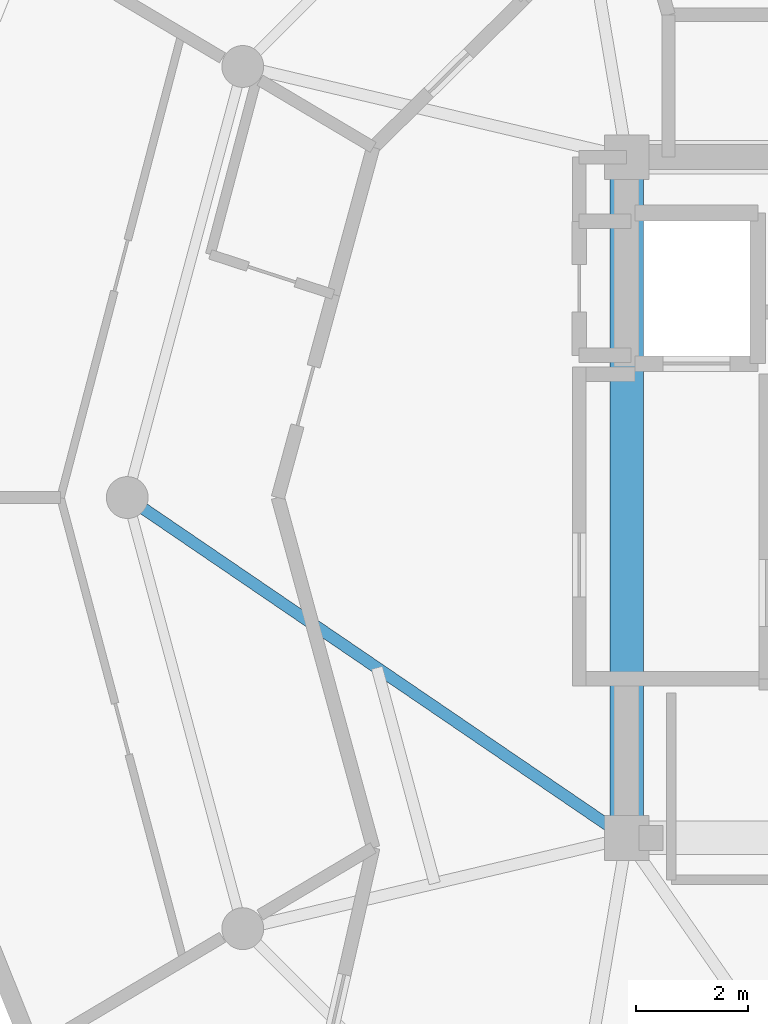
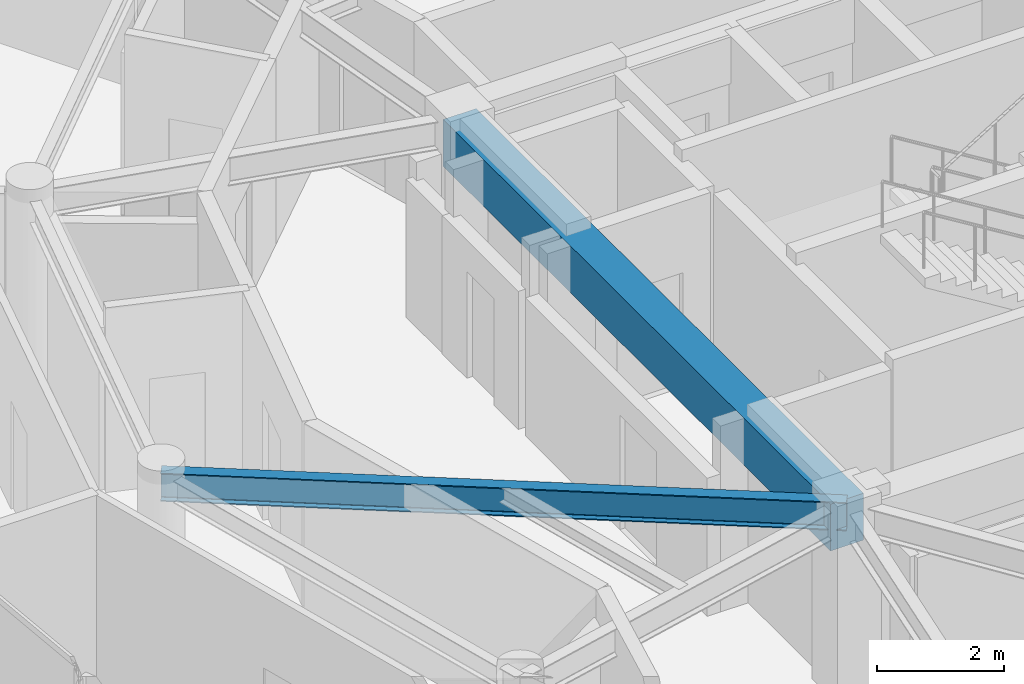
# One storey, part 9 of 22: 2 beams.
"""IFC4 building model written with IfcOpenShell, lengths in metres."""

import ifcopenshell
import ifcopenshell.guid

model = None  # the IFC model being written
_history = None  # IfcOwnerHistory: only IFC2X3 demands one
_inside = {}  # id of a spatial element -> (the spatial element, [elements in it])
_under = {}  # id of a project, library or spatial element -> (it, [spatial elements below it])
_declared = {}  # id of a project -> (the project, [libraries it declares])
_typed = {}  # id of a type object -> (the type object, [elements of that type])
_made_of = {}  # id of a material, layer set ... -> (it, [elements and type objects made of it])


def new_model(schema):
    """Start an empty IFC model of exactly this schema.

    Asked for "IFC4X3", IfcOpenShell would pick the latest addendum, in which some entities
    have other attributes; the version numbers below select the first issue.
    IFC2X3 requires an IfcOwnerHistory on every rooted entity: one is made here for all.
    """
    global model, _history
    if schema == "IFC4X3":
        model = ifcopenshell.file(schema_version=(4, 3, 0, 0))
    else:
        model = ifcopenshell.file(schema=schema)
    _inside.clear()
    _under.clear()
    _declared.clear()
    _typed.clear()
    _made_of.clear()
    _history = None
    if model.schema == "IFC2X3":
        org = make("IfcOrganization", Name="unknown")
        user = make(
            "IfcPersonAndOrganization",
            ThePerson=make("IfcPerson", FamilyName="unknown"),
            TheOrganization=org,
        )
        app = make(
            "IfcApplication",
            ApplicationDeveloper=org,
            Version="unknown",
            ApplicationFullName="unknown",
            ApplicationIdentifier="unknown",
        )
        _history = make(
            "IfcOwnerHistory",
            OwningUser=user,
            OwningApplication=app,
            ChangeAction="ADDED",
            CreationDate=0,
        )
    return model


def make(cls, **values):
    """One entity of the class cls with the attributes given. An attribute that is None is left unset."""
    return model.create_entity(
        cls, **{name: value for name, value in values.items() if value is not None}
    )


def rooted(cls, **values):
    """An entity with a GlobalId (a new one), such as an element, a storey or a relation."""
    return make(cls, GlobalId=ifcopenshell.guid.new(), OwnerHistory=_history, **values)


def si_unit(unit_type, name, prefix=None):
    """IfcSIUnit, for example si_unit("LENGTHUNIT", "METRE", prefix="MILLI")."""
    return make("IfcSIUnit", UnitType=unit_type, Prefix=prefix, Name=name)


def assignment(units):
    """IfcUnitAssignment: the units of a project."""
    return None if units is None else make("IfcUnitAssignment", Units=units)


def point(xyz):
    """IfcCartesianPoint."""
    return None if xyz is None else make("IfcCartesianPoint", Coordinates=xyz)


def direction(xyz):
    """IfcDirection."""
    return None if xyz is None else make("IfcDirection", DirectionRatios=xyz)


def frame(location, z_axis=None, x_axis=None):
    """IfcAxis2Placement3D, a coordinate frame: its origin and axes. An axis left out is left unset."""
    return make(
        "IfcAxis2Placement3D",
        Location=point(location),
        Axis=direction(z_axis),
        RefDirection=direction(x_axis),
    )


def frame_2d(location, x_axis=None):
    """IfcAxis2Placement2D, a coordinate frame in the plane: its origin and x axis."""
    return make(
        "IfcAxis2Placement2D", Location=point(location), RefDirection=direction(x_axis)
    )


def origin():
    """The frame at (0, 0, 0) with its axes left unset."""
    return frame((0.0, 0.0, 0.0))


def origin_2d():
    """The frame at (0, 0) in the plane with its x axis left unset."""
    return frame_2d((0.0, 0.0))


def place(relative_to, where):
    """IfcLocalPlacement: puts the frame where relative to a parent placement (None: the world)."""
    return make(
        "IfcLocalPlacement", PlacementRelTo=relative_to, RelativePlacement=where
    )


def context(
    kind, dimensions, precision=None, world=None, true_north=None, identifier=None
):
    """IfcGeometricRepresentationContext, for example the 3D "Model" context."""
    return make(
        "IfcGeometricRepresentationContext",
        ContextIdentifier=identifier,
        ContextType=kind,
        CoordinateSpaceDimension=dimensions,
        Precision=precision,
        WorldCoordinateSystem=world,
        TrueNorth=true_north,
    )


def subcontext(parent, identifier, kind, view, scale=None):
    """IfcGeometricRepresentationSubContext, for example "Body" below "Model"."""
    return make(
        "IfcGeometricRepresentationSubContext",
        ContextIdentifier=identifier,
        ContextType=kind,
        ParentContext=parent,
        TargetScale=scale,
        TargetView=view,
    )


def project(units=None, contexts=None):
    """IfcProject with its units and contexts."""
    return rooted(
        "IfcProject",
        Name="project",
        RepresentationContexts=contexts,
        UnitsInContext=assignment(units),
    )


def spatial(cls, under=None, at=None, **own):
    """A site, building, storey or space (cls), placed at a placement, below another one or the project."""
    s = rooted(cls, ObjectPlacement=at, **own)
    if under is not None:
        _under.setdefault(under.id(), (under, []))[1].append(s)
    return s


def profile(cls, at=None, kind="AREA", **sizes):
    """A parametric profile (cls). Its sizes go by their IFC names, for example OverallWidth=200.0."""
    return make(cls, ProfileType=kind, Position=at, **sizes)


def rectangle(**sizes):
    """IfcRectangleProfileDef."""
    return profile("IfcRectangleProfileDef", **sizes)


def i_section(**sizes):
    """IfcIShapeProfileDef."""
    return profile("IfcIShapeProfileDef", **sizes)


def extrude(swept, where, along, depth):
    """IfcExtrudedAreaSolid: the profile swept, set in the frame where, extruded along a direction by depth."""
    return make(
        "IfcExtrudedAreaSolid",
        SweptArea=swept,
        Position=where,
        ExtrudedDirection=direction(along),
        Depth=depth,
    )


def shape(context_of_items, identifier, shape_type, items):
    """IfcShapeRepresentation: the items that make up one representation, for example the "Body"."""
    return make(
        "IfcShapeRepresentation",
        ContextOfItems=context_of_items,
        RepresentationIdentifier=identifier,
        RepresentationType=shape_type,
        Items=items,
    )


def material(Name=None, Category=None):
    """IfcMaterial."""
    return make("IfcMaterial", Name=Name, Category=Category)


def material_profile(
    of_material, cross_section, Name=None, Category=None, Priority=None
):
    """IfcMaterialProfile: a cross section and its material."""
    return make(
        "IfcMaterialProfile",
        Name=Name,
        Material=of_material,
        Profile=cross_section,
        Priority=Priority,
        Category=Category,
    )


def profile_set(profiles, Name=None, composite=None):
    """IfcMaterialProfileSet."""
    return make(
        "IfcMaterialProfileSet",
        Name=Name,
        MaterialProfiles=profiles,
        CompositeProfile=composite,
    )


def made_of(thing, what):
    """Note that an element or type object is made of a material, layer set ...; save() writes the relation."""
    if what is not None:
        _made_of.setdefault(what.id(), (what, []))[1].append(thing)
    return thing


def type_object(cls, material=None, **own):
    """A type object (cls), such as IfcWallType, which elements share."""
    return made_of(rooted(cls, **own), material)


def element(
    cls,
    number,
    at=None,
    inside=None,
    cuts=None,
    type_object=None,
    material=None,
    context=None,
    identifier="Body",
    shape_type=None,
    held_by="IfcProductDefinitionShape",
    body=None,
    shapes=None,
    **own,
):
    """One element of the class cls, such as IfcWall. Its Tag is "e" and its number.

    at: its placement. inside: the storey or other place that contains it. cuts: it is an
    opening in that element (IfcRelVoidsElement). A single representation is given by context,
    identifier, shape_type and body (its items); several are given by shapes. held_by: the class
    of the entity that holds the representations. save() writes the other relations.
    """
    e = rooted(cls, Tag="e%d" % number, ObjectPlacement=at, **own)
    if body is not None:
        shapes = [shape(context, identifier, shape_type, body)]
    if shapes is not None:
        e.Representation = make(held_by, Representations=shapes)
    if inside is not None:
        _inside.setdefault(inside.id(), (inside, []))[1].append(e)
    if cuts is not None:
        rooted(
            "IfcRelVoidsElement", RelatingBuildingElement=cuts, RelatedOpeningElement=e
        )
    if type_object is not None:
        _typed.setdefault(type_object.id(), (type_object, []))[1].append(e)
    return made_of(e, material)


def aggregate(whole, parts):
    """IfcRelAggregates: a whole, such as a stair, and the parts it consists of."""
    return rooted("IfcRelAggregates", RelatingObject=whole, RelatedObjects=parts)


def save(model, path):
    """Write the relations noted so far, then the file.

    IfcRelAggregates (storeys below a building ...), IfcRelContainedInSpatialStructure (elements
    in a storey), IfcRelDefinesByType, IfcRelAssociatesMaterial and IfcRelDeclares: one each for
    every whole, place, type object, material and project.
    """
    for whole, parts in _under.values():
        aggregate(whole, parts)
    for where, things in _inside.values():
        rooted(
            "IfcRelContainedInSpatialStructure",
            RelatedElements=things,
            RelatingStructure=where,
        )
    for kind, things in _typed.values():
        rooted("IfcRelDefinesByType", RelatedObjects=things, RelatingType=kind)
    for what, things in _made_of.values():
        rooted("IfcRelAssociatesMaterial", RelatedObjects=things, RelatingMaterial=what)
    for by, libraries in _declared.values():
        rooted("IfcRelDeclares", RelatingContext=by, RelatedDefinitions=libraries)
    model.write(path)


model = new_model("IFC4")

# Units and contexts
model_context = context("Model", 3, precision=1e-05, world=origin(), true_north=direction((0.0, 1.0)))
body_context = subcontext(model_context, "Body", "Model", "MODEL_VIEW")
ifc_project = project(units=[si_unit("LENGTHUNIT", "METRE"), si_unit("AREAUNIT", "SQUARE_METRE"), si_unit("VOLUMEUNIT", "CUBIC_METRE"), si_unit("PLANEANGLEUNIT", "RADIAN"), si_unit("MASSUNIT", "GRAM", prefix="KILO")], contexts=[model_context])

# Site, building, storey
site_placement = place(None, origin())
site = spatial("IfcSite", under=ifc_project, at=site_placement, CompositionType="ELEMENT")
building_placement = place(site_placement, origin())
building = spatial("IfcBuilding", under=site, at=building_placement, Name="Solvirekh Grand Hotel", CompositionType="ELEMENT")
storey_placement = place(building_placement, frame((0.0, 0.0, 239.199951171875)))
storey = spatial("IfcBuildingStorey", under=building, at=storey_placement, Name="L62", CompositionType="ELEMENT", Elevation=239.199951171875)

# Beams
ifc_material_1 = material(Name="Concrete C50/60", Category="concrete")
ifc_material_profile_1 = material_profile(ifc_material_1, rectangle(XDim=0.60009765625, YDim=0.89990234375, at=origin_2d()), Name="RC BEAM 600X900")
ifc_profile_set_1 = profile_set([ifc_material_profile_1], Name="Concrete C50/60")
beam_type_1 = type_object("IfcBeamType", Name="Beam_Core_RC900", PredefinedType="BEAM", material=ifc_profile_set_1)
beam_1_placement = place(storey_placement, frame((-6.5, 6.10009765625, 3.1201171875), z_axis=(0.0, -1.0, 0.0), x_axis=(1.0, 0.0, 0.0)))
element("IfcBeam", 1, at=beam_1_placement, inside=storey, type_object=beam_type_1, Name="L62 core coupling ring beam 4", PredefinedType="BEAM", context=body_context, shape_type="SweptSolid", body=[
    extrude(rectangle(XDim=0.60009765625, YDim=0.89990234375, at=origin_2d()), origin(), (0.0, 0.0, 1.0), 12.2001953125),
])
ifc_material_2 = material(Name="Steel S355", Category="steel")
ifc_material_profile_2 = material_profile(ifc_material_2, i_section(OverallWidth=0.2119140625, OverallDepth=0.5439453125, WebThickness=0.011962890625, FlangeThickness=0.01904296875, FilletRadius=0.013916015625, at=origin_2d()), Name="W530X123")
ifc_profile_set_2 = profile_set([ifc_material_profile_2], Name="Steel S355")
beam_type_2 = type_object("IfcBeamType", Name="Beam_Radial_W530H", PredefinedType="BEAM", material=ifc_profile_set_2)
beam_2_placement = place(storey_placement, frame((-6.5, -6.10009765625, 3.298095703125), z_axis=(-0.826319370306, 0.563201827285, 0.0), x_axis=(-0.563201827285, -0.826319370306, 0.0)))
element("IfcBeam", 2, at=beam_2_placement, inside=storey, type_object=beam_type_2, Name="L62 radial floor beam R07", PredefinedType="BEAM", context=body_context, shape_type="SweptSolid", body=[
    extrude(i_section(OverallWidth=0.2119140625, OverallDepth=0.5439453125, WebThickness=0.011962890625, FlangeThickness=0.01904296875, FilletRadius=0.013916015625, at=origin_2d()), origin(), (0.0, 0.0, 1.0), 10.8310546875),
])

save(model, "model.ifc")
